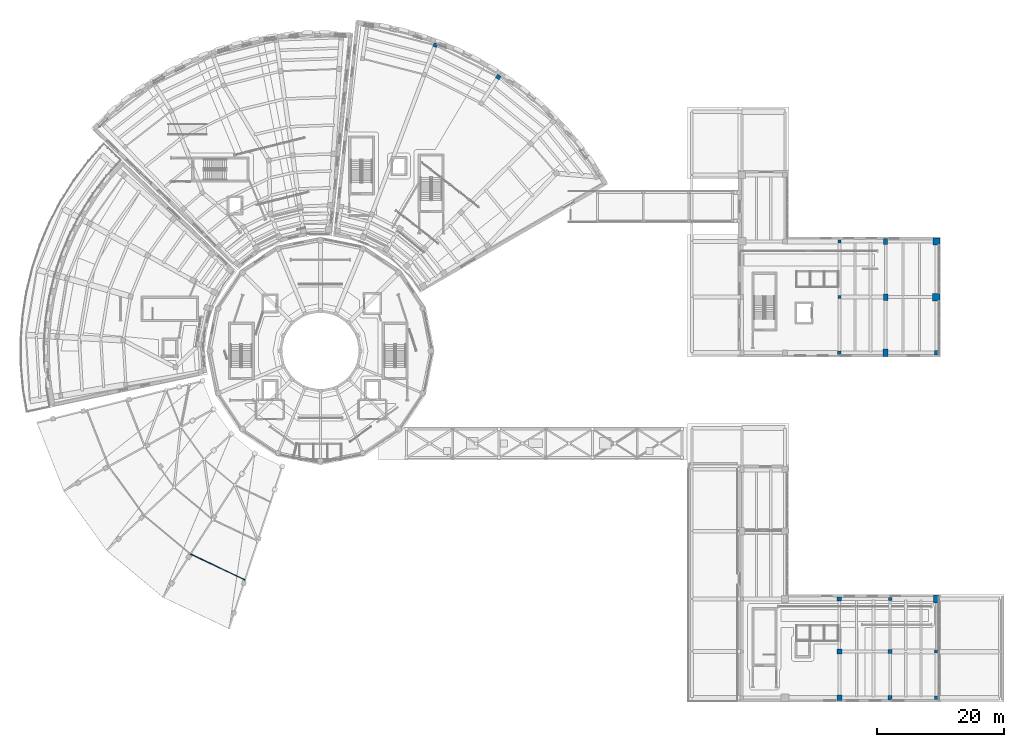
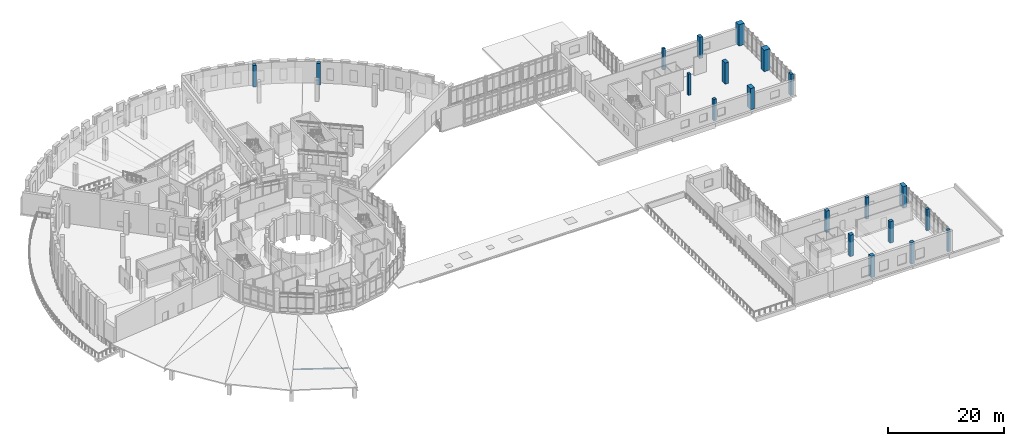
# One storey, part 5 of 75: 20 columns, 1 member.
"""IFC4 building model written with IfcOpenShell, lengths in metres."""

from ifc_helpers import new_model, si_unit, direction, frame, origin, origin_2d, place, context, subcontext, project, spatial, rectangle, i_section, extrude, material, material_profile, profile_set, type_object, element, save


model = new_model("IFC4")

# Units and contexts
model_context = context("Model", 3, precision=1e-05, world=origin(), true_north=direction((0.0, 1.0)))
body_context = subcontext(model_context, "Body", "Model", "MODEL_VIEW")
ifc_project = project(units=[si_unit("LENGTHUNIT", "METRE"), si_unit("AREAUNIT", "SQUARE_METRE"), si_unit("VOLUMEUNIT", "CUBIC_METRE"), si_unit("PLANEANGLEUNIT", "RADIAN"), si_unit("MASSUNIT", "GRAM", prefix="KILO")], contexts=[model_context])

# Site, building, storey
site_placement = place(None, origin())
site = spatial("IfcSite", under=ifc_project, at=site_placement, CompositionType="ELEMENT")
building_placement = place(site_placement, origin())
building = spatial("IfcBuilding", under=site, at=building_placement, Name="Soyqirgoq Riverine Aquarium", CompositionType="ELEMENT")
storey_placement = place(building_placement, frame((0.0, 0.0, 10.199951171875)))
storey = spatial("IfcBuildingStorey", under=building, at=storey_placement, Name="L03", CompositionType="ELEMENT", Elevation=10.199951171875)

# Columns
ifc_material_1 = material(Name="Waterproof concrete C45/55", Category="concrete")
ifc_material_profile_1 = material_profile(ifc_material_1, rectangle(XDim=1.10009765625, YDim=1.10009765625, at=origin_2d()), Name="RC 1100x1100")
ifc_profile_set_1 = profile_set([ifc_material_profile_1], Name="Waterproof concrete C45/55")
column_type_1 = type_object("IfcColumnType", Name="Col_RC_1100x1100", PredefinedType="COLUMN", material=ifc_profile_set_1)
column_1_placement = place(storey_placement, frame((153.300048828125, 74.300048828125, 0.0), z_axis=(0.0, 0.0, 1.0), x_axis=(1.0, 0.0, 0.0)))
element("IfcColumn", 1, at=column_1_placement, inside=storey, type_object=column_type_1, Name="V7 Column V7-C-29 L03", PredefinedType="COLUMN", context=body_context, shape_type="SweptSolid", body=[
    extrude(rectangle(XDim=1.10009765625, YDim=1.10009765625, at=origin_2d()), origin(), (0.0, 0.0, 1.0), 4.5),
])
ifc_material_2 = material(Name="Waterproof concrete C45/55", Category="concrete")
ifc_material_profile_2 = material_profile(ifc_material_2, rectangle(XDim=1.199951171875, YDim=1.199951171875, at=origin_2d()), Name="RC 1200x1200")
ifc_profile_set_2 = profile_set([ifc_material_profile_2], Name="Waterproof concrete C45/55")
column_type_2 = type_object("IfcColumnType", Name="Col_RC_1200x1200", PredefinedType="COLUMN", material=ifc_profile_set_2)
column_2_placement = place(storey_placement, frame((153.300048828125, 65.5, 0.0), z_axis=(0.0, 0.0, 1.0), x_axis=(1.0, 0.0, 0.0)))
element("IfcColumn", 2, at=column_2_placement, inside=storey, type_object=column_type_2, Name="V7 Column V7-C-28 L03", PredefinedType="COLUMN", context=body_context, shape_type="SweptSolid", body=[
    extrude(rectangle(XDim=1.199951171875, YDim=1.199951171875, at=origin_2d()), origin(), (0.0, 0.0, 1.0), 4.5),
])
ifc_material_3 = material(Name="Concrete C40/50", Category="concrete")
ifc_material_profile_3 = material_profile(ifc_material_3, rectangle(XDim=0.449951171875, YDim=0.449951171875, at=origin_2d()), Name="RC 450x450")
ifc_profile_set_3 = profile_set([ifc_material_profile_3], Name="Concrete C40/50")
column_type_3 = type_object("IfcColumnType", Name="Col_RC_450x450", PredefinedType="COLUMN", material=ifc_profile_set_3)
column_3_placement = place(storey_placement, frame((138.0, 74.300048828125, 0.0), z_axis=(0.0, 0.0, 1.0), x_axis=(1.0, 0.0, 0.0)))
element("IfcColumn", 3, at=column_3_placement, inside=storey, type_object=column_type_3, Name="V7 Column V7-C-23 L03", PredefinedType="COLUMN", context=body_context, shape_type="SweptSolid", body=[
    extrude(rectangle(XDim=0.449951171875, YDim=0.449951171875, at=origin_2d()), origin(), (0.0, 0.0, 1.0), 4.5),
])
ifc_material_4 = material(Name="Concrete C40/50", Category="concrete")
ifc_material_profile_4 = material_profile(ifc_material_4, rectangle(XDim=0.5, YDim=0.5, at=origin_2d()), Name="RC 500x500")
ifc_profile_set_4 = profile_set([ifc_material_profile_4], Name="Concrete C40/50")
column_type_4 = type_object("IfcColumnType", Name="Col_RC_500x500", PredefinedType="COLUMN", material=ifc_profile_set_4)
for number, where, z_axis, x_axis, name in (
    (4, (153.300048828125, 2.199951171875, 0.0), (0.0, 0.0, 1.0), (1.0, 0.0, 0.0), "V6 Column V6-C-27 L03"),
    (5, (153.300048828125, 9.5, 0.0), (0.0, 0.0, 1.0), (1.0, 0.0, 0.0), "V6 Column V6-C-28 L03"),
):
    element("IfcColumn", number, at=place(storey_placement, frame(where, z_axis=z_axis, x_axis=x_axis)), inside=storey, type_object=column_type_4, Name=name, PredefinedType="COLUMN", context=body_context, shape_type="SweptSolid", body=[
        extrude(rectangle(XDim=0.5, YDim=0.5, at=origin_2d()), origin(), (0.0, 0.0, 1.0), 4.5400390625),
    ])
column_4_placement = place(storey_placement, frame((138.0, 65.5, 0.0), z_axis=(0.0, 0.0, 1.0), x_axis=(1.0, 0.0, 0.0)))
element("IfcColumn", 6, at=column_4_placement, inside=storey, type_object=column_type_4, Name="V7 Column V7-C-22 L03", PredefinedType="COLUMN", context=body_context, shape_type="SweptSolid", body=[
    extrude(rectangle(XDim=0.5, YDim=0.5, at=origin_2d()), origin(), (0.0, 0.0, 1.0), 4.5),
])
ifc_material_5 = material(Name="Concrete C40/50", Category="concrete")
ifc_material_profile_5 = material_profile(ifc_material_5, rectangle(XDim=0.5, YDim=0.75, at=origin_2d()), Name="RC-COL 500x750")
ifc_profile_set_5 = profile_set([ifc_material_profile_5], Name="Concrete C40/50")
column_type_5 = type_object("IfcColumnType", Name="Col_RC_500x750", PredefinedType="COLUMN", material=ifc_profile_set_5)
column_5_placement = place(storey_placement, frame((153.300048828125, 56.699951171875, 0.0), z_axis=(0.0, 0.0, 1.0), x_axis=(1.0, 0.0, 0.0)))
element("IfcColumn", 7, at=column_5_placement, inside=storey, type_object=column_type_5, Name="V7 Column V7-C-27 L03", PredefinedType="COLUMN", context=body_context, shape_type="SweptSolid", body=[
    extrude(rectangle(XDim=0.5, YDim=0.75, at=origin_2d()), origin(), (0.0, 0.0, 1.0), 4.5),
])
ifc_material_6 = material(Name="Concrete C40/50", Category="concrete")
ifc_material_profile_6 = material_profile(ifc_material_6, rectangle(XDim=0.550048828125, YDim=0.550048828125, at=origin_2d()), Name="RC 550x550")
ifc_profile_set_6 = profile_set([ifc_material_profile_6], Name="Concrete C40/50")
column_type_6 = type_object("IfcColumnType", Name="Col_RC_550x550", PredefinedType="COLUMN", material=ifc_profile_set_6)
column_6_placement = place(storey_placement, frame((146.0, 17.800048828125, 0.0), z_axis=(0.0, 0.0, 1.0), x_axis=(1.0, 0.0, 0.0)))
element("IfcColumn", 8, at=column_6_placement, inside=storey, type_object=column_type_6, Name="V6 Column V6-C-26 L03", PredefinedType="COLUMN", context=body_context, shape_type="SweptSolid", body=[
    extrude(rectangle(XDim=0.550048828125, YDim=0.550048828125, at=origin_2d()), origin(), (0.0, 0.0, 1.0), 4.5400390625),
])
column_7_placement = place(storey_placement, frame((138.0, 56.699951171875, 0.0), z_axis=(0.0, 0.0, 1.0), x_axis=(1.0, 0.0, 0.0)))
element("IfcColumn", 9, at=column_7_placement, inside=storey, type_object=column_type_6, Name="V7 Column V7-C-21 L03", PredefinedType="COLUMN", context=body_context, shape_type="SweptSolid", body=[
    extrude(rectangle(XDim=0.550048828125, YDim=0.550048828125, at=origin_2d()), origin(), (0.0, 0.0, 1.0), 4.5),
])
ifc_material_7 = material(Name="Concrete C40/50", Category="concrete")
ifc_material_profile_7 = material_profile(ifc_material_7, rectangle(XDim=0.60009765625, YDim=0.60009765625, at=origin_2d()), Name="RC 600x600")
ifc_profile_set_7 = profile_set([ifc_material_profile_7], Name="Concrete C40/50")
column_type_7 = type_object("IfcColumnType", Name="Col_RC_600x600", PredefinedType="COLUMN", material=ifc_profile_set_7)
column_8_placement = place(storey_placement, frame((74.155029296875, 105.30078125, 0.0), z_axis=(0.0, 0.0, 1.0), x_axis=(0.351841648405, 0.936059535739, 0.0)))
element("IfcColumn", 10, at=column_8_placement, inside=storey, type_object=column_type_7, Name="V5 Column V5-CR5-04 L03", PredefinedType="COLUMN", context=body_context, shape_type="SweptSolid", body=[
    extrude(rectangle(XDim=0.60009765625, YDim=0.60009765625, at=origin_2d()), origin(), (0.0, 0.0, 1.0), 4.52001953125),
])
ifc_material_8 = material(Name="Concrete C40/50", Category="concrete")
ifc_material_profile_8 = material_profile(ifc_material_8, rectangle(XDim=0.60009765625, YDim=0.89990234375, at=origin_2d()), Name="RC-COL 600x900")
ifc_profile_set_8 = profile_set([ifc_material_profile_8], Name="Concrete C40/50")
column_type_8 = type_object("IfcColumnType", Name="Col_RC_600x900", PredefinedType="COLUMN", material=ifc_profile_set_8)
column_9_placement = place(storey_placement, frame((145.300048828125, 74.300048828125, 0.0), z_axis=(0.0, 0.0, 1.0), x_axis=(1.0, 0.0, 0.0)))
element("IfcColumn", 11, at=column_9_placement, inside=storey, type_object=column_type_8, Name="V7 Column V7-C-26 L03", PredefinedType="COLUMN", context=body_context, shape_type="SweptSolid", body=[
    extrude(rectangle(XDim=0.60009765625, YDim=0.89990234375, at=origin_2d()), origin(), (0.0, 0.0, 1.0), 4.5),
])
ifc_material_9 = material(Name="Concrete C40/50", Category="concrete")
ifc_material_profile_9 = material_profile(ifc_material_9, rectangle(XDim=0.64990234375, YDim=0.64990234375, at=origin_2d()), Name="RC 650x650")
ifc_profile_set_9 = profile_set([ifc_material_profile_9], Name="Concrete C40/50")
column_type_9 = type_object("IfcColumnType", Name="Col_RC_650x650", PredefinedType="COLUMN", material=ifc_profile_set_9)
column_10_placement = place(storey_placement, frame((84.103515625, 100.275390625, 0.0), z_axis=(0.0, 0.0, 1.0), x_axis=(0.544639035015, 0.838670567945, 0.0)))
element("IfcColumn", 12, at=column_10_placement, inside=storey, type_object=column_type_9, Name="V5 Column V5-CR5-03 L03", PredefinedType="COLUMN", context=body_context, shape_type="SweptSolid", body=[
    extrude(rectangle(XDim=0.64990234375, YDim=0.64990234375, at=origin_2d()), origin(), (0.0, 0.0, 1.0), 4.52001953125),
])
for number, where, z_axis, x_axis, name in (
    (13, (146.0, 2.199951171875, 0.0), (0.0, 0.0, 1.0), (1.0, 0.0, 0.0), "V6 Column V6-C-24 L03"),
    (14, (146.0, 9.5, 0.0), (0.0, 0.0, 1.0), (1.0, 0.0, 0.0), "V6 Column V6-C-25 L03"),
):
    element("IfcColumn", number, at=place(storey_placement, frame(where, z_axis=z_axis, x_axis=x_axis)), inside=storey, type_object=column_type_9, Name=name, PredefinedType="COLUMN", context=body_context, shape_type="SweptSolid", body=[
        extrude(rectangle(XDim=0.64990234375, YDim=0.64990234375, at=origin_2d()), origin(), (0.0, 0.0, 1.0), 4.5400390625),
    ])
ifc_material_10 = material(Name="Concrete C40/50", Category="concrete")
ifc_material_profile_10 = material_profile(ifc_material_10, rectangle(XDim=0.699951171875, YDim=1.050048828125, at=origin_2d()), Name="RC-COL 700x1050")
ifc_profile_set_10 = profile_set([ifc_material_profile_10], Name="Concrete C40/50")
column_type_10 = type_object("IfcColumnType", Name="Col_RC_700x1050", PredefinedType="COLUMN", material=ifc_profile_set_10)
column_11_placement = place(storey_placement, frame((145.300048828125, 65.5, 0.0), z_axis=(0.0, 0.0, 1.0), x_axis=(1.0, 0.0, 0.0)))
element("IfcColumn", 15, at=column_11_placement, inside=storey, type_object=column_type_10, Name="V7 Column V7-C-25 L03", PredefinedType="COLUMN", context=body_context, shape_type="SweptSolid", body=[
    extrude(rectangle(XDim=0.699951171875, YDim=1.050048828125, at=origin_2d()), origin(), (0.0, 0.0, 1.0), 4.5),
])
ifc_material_11 = material(Name="Concrete C40/50", Category="concrete")
ifc_material_profile_11 = material_profile(ifc_material_11, rectangle(XDim=0.699951171875, YDim=0.699951171875, at=origin_2d()), Name="RC 700x700")
ifc_profile_set_11 = profile_set([ifc_material_profile_11], Name="Concrete C40/50")
column_type_11 = type_object("IfcColumnType", Name="Col_RC_700x700", PredefinedType="COLUMN", material=ifc_profile_set_11)
column_12_placement = place(storey_placement, frame((138.0, 17.800048828125, 0.0), z_axis=(0.0, 0.0, 1.0), x_axis=(1.0, 0.0, 0.0)))
element("IfcColumn", 16, at=column_12_placement, inside=storey, type_object=column_type_11, Name="V6 Column V6-C-23 L03", PredefinedType="COLUMN", context=body_context, shape_type="SweptSolid", body=[
    extrude(rectangle(XDim=0.699951171875, YDim=0.699951171875, at=origin_2d()), origin(), (0.0, 0.0, 1.0), 4.5400390625),
])
ifc_material_12 = material(Name="Concrete C40/50", Category="concrete")
ifc_material_profile_12 = material_profile(ifc_material_12, rectangle(XDim=0.75, YDim=0.75, at=origin_2d()), Name="RC 750x750")
ifc_profile_set_12 = profile_set([ifc_material_profile_12], Name="Concrete C40/50")
column_type_12 = type_object("IfcColumnType", Name="Col_RC_750x750", PredefinedType="COLUMN", material=ifc_profile_set_12)
column_13_placement = place(storey_placement, frame((138.0, 9.5, 0.0), z_axis=(0.0, 0.0, 1.0), x_axis=(1.0, 0.0, 0.0)))
element("IfcColumn", 17, at=column_13_placement, inside=storey, type_object=column_type_12, Name="V6 Column V6-C-22 L03", PredefinedType="COLUMN", context=body_context, shape_type="SweptSolid", body=[
    extrude(rectangle(XDim=0.75, YDim=0.75, at=origin_2d()), origin(), (0.0, 0.0, 1.0), 4.5400390625),
])
ifc_material_13 = material(Name="Concrete C40/50", Category="concrete")
ifc_material_profile_13 = material_profile(ifc_material_13, rectangle(XDim=0.800048828125, YDim=1.199951171875, at=origin_2d()), Name="RC-COL 800x1200")
ifc_profile_set_13 = profile_set([ifc_material_profile_13], Name="Concrete C40/50")
column_type_13 = type_object("IfcColumnType", Name="Col_RC_800x1200", PredefinedType="COLUMN", material=ifc_profile_set_13)
column_14_placement = place(storey_placement, frame((153.300048828125, 17.800048828125, 0.0), z_axis=(0.0, 0.0, 1.0), x_axis=(1.0, 0.0, 0.0)))
element("IfcColumn", 18, at=column_14_placement, inside=storey, type_object=column_type_13, Name="V6 Column V6-C-29 L03", PredefinedType="COLUMN", context=body_context, shape_type="SweptSolid", body=[
    extrude(rectangle(XDim=0.800048828125, YDim=1.199951171875, at=origin_2d()), origin(), (0.0, 0.0, 1.0), 4.5400390625),
])
column_15_placement = place(storey_placement, frame((145.300048828125, 56.699951171875, 0.0), z_axis=(0.0, 0.0, 1.0), x_axis=(1.0, 0.0, 0.0)))
element("IfcColumn", 19, at=column_15_placement, inside=storey, type_object=column_type_13, Name="V7 Column V7-C-24 L03", PredefinedType="COLUMN", context=body_context, shape_type="SweptSolid", body=[
    extrude(rectangle(XDim=0.800048828125, YDim=1.199951171875, at=origin_2d()), origin(), (0.0, 0.0, 1.0), 4.5),
])
ifc_material_14 = material(Name="Concrete C40/50", Category="concrete")
ifc_material_profile_14 = material_profile(ifc_material_14, rectangle(XDim=0.800048828125, YDim=0.800048828125, at=origin_2d()), Name="RC 800x800")
ifc_profile_set_14 = profile_set([ifc_material_profile_14], Name="Concrete C40/50")
column_type_14 = type_object("IfcColumnType", Name="Col_RC_800x800", PredefinedType="COLUMN", material=ifc_profile_set_14)
column_16_placement = place(storey_placement, frame((138.0, 2.199951171875, 0.0), z_axis=(0.0, 0.0, 1.0), x_axis=(1.0, 0.0, 0.0)))
element("IfcColumn", 20, at=column_16_placement, inside=storey, type_object=column_type_14, Name="V6 Column V6-C-21 L03", PredefinedType="COLUMN", context=body_context, shape_type="SweptSolid", body=[
    extrude(rectangle(XDim=0.800048828125, YDim=0.800048828125, at=origin_2d()), origin(), (0.0, 0.0, 1.0), 4.5400390625),
])

# Member
ifc_material_15 = material(Name="Structural steel S355", Category="steel")
ifc_material_profile_15 = material_profile(ifc_material_15, i_section(OverallWidth=0.10009765625, OverallDepth=0.199951171875, WebThickness=0.005615234375, FlangeThickness=0.008544921875, FilletRadius=0.011962890625, at=origin_2d()), Name="IPE 200")
ifc_profile_set_15 = profile_set([ifc_material_profile_15], Name="Structural steel S355")
member_type = type_object("IfcMemberType", Name="Purlin_IPE200", PredefinedType="PURLIN", material=ifc_profile_set_15)
member_placement = place(storey_placement, frame((35.472900390625, 24.902587890625, 2.44775390625), z_axis=(0.90298784651, -0.428763988924, -0.027827879131), x_axis=(0.428930100863, 0.903337682472, 0.0)))
element("IfcMember", 21, at=member_placement, inside=storey, type_object=member_type, Name="V2 Prairie Roof Purlin 0155", PredefinedType="PURLIN", context=body_context, shape_type="SweptSolid", body=[
    extrude(i_section(OverallWidth=0.10009765625, OverallDepth=0.199951171875, WebThickness=0.005615234375, FlangeThickness=0.008544921875, FilletRadius=0.011962890625, at=origin_2d()), origin(), (0.0, 0.0, 1.0), 9.553955078125),
])

save(model, "model.ifc")
